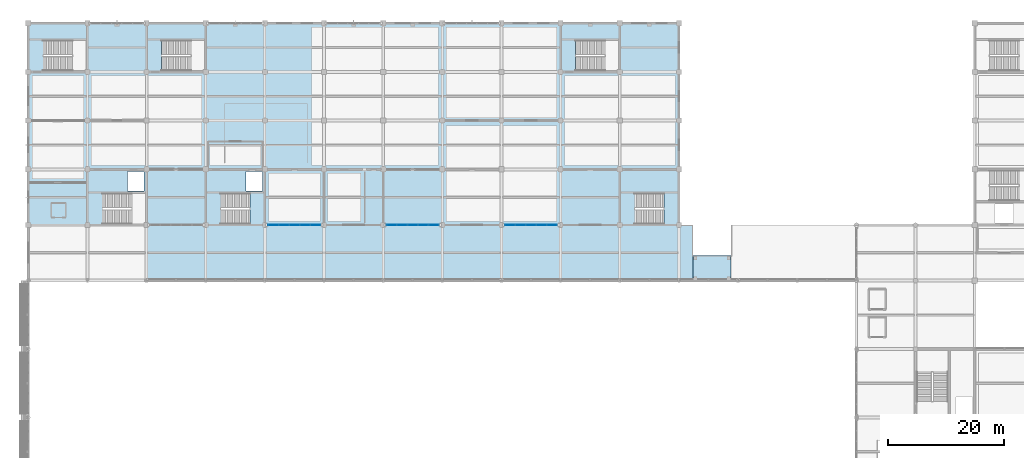
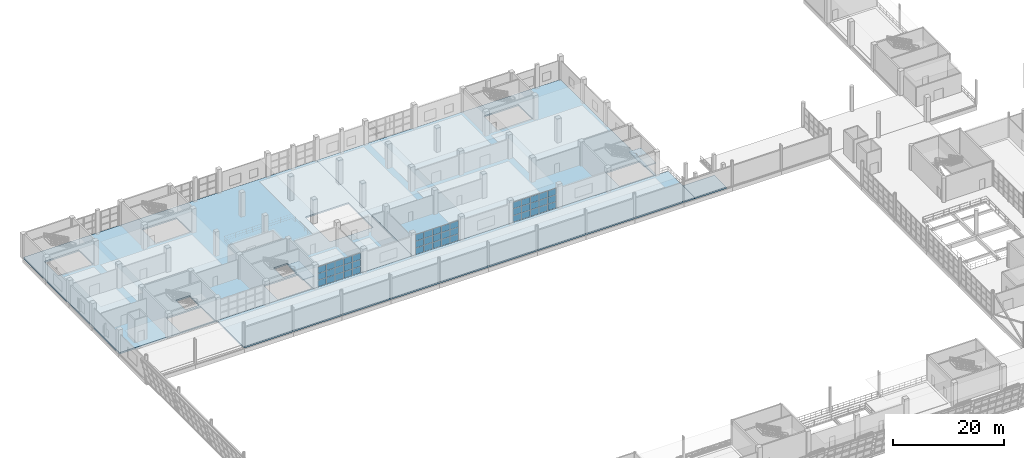
# One storey, part 110 of 175: 45 plates, 6 slabs, 5 elements without a shape of their own.
"""IFC4 building model written with IfcOpenShell, lengths in metres."""

import ifcopenshell
import ifcopenshell.guid

model = None  # the IFC model being written
_history = None  # IfcOwnerHistory: only IFC2X3 demands one
_inside = {}  # id of a spatial element -> (the spatial element, [elements in it])
_under = {}  # id of a project, library or spatial element -> (it, [spatial elements below it])
_declared = {}  # id of a project -> (the project, [libraries it declares])
_typed = {}  # id of a type object -> (the type object, [elements of that type])
_made_of = {}  # id of a material, layer set ... -> (it, [elements and type objects made of it])


def new_model(schema):
    """Start an empty IFC model of exactly this schema.

    Asked for "IFC4X3", IfcOpenShell would pick the latest addendum, in which some entities
    have other attributes; the version numbers below select the first issue.
    IFC2X3 requires an IfcOwnerHistory on every rooted entity: one is made here for all.
    """
    global model, _history
    if schema == "IFC4X3":
        model = ifcopenshell.file(schema_version=(4, 3, 0, 0))
    else:
        model = ifcopenshell.file(schema=schema)
    _inside.clear()
    _under.clear()
    _declared.clear()
    _typed.clear()
    _made_of.clear()
    _history = None
    if model.schema == "IFC2X3":
        org = make("IfcOrganization", Name="unknown")
        user = make(
            "IfcPersonAndOrganization",
            ThePerson=make("IfcPerson", FamilyName="unknown"),
            TheOrganization=org,
        )
        app = make(
            "IfcApplication",
            ApplicationDeveloper=org,
            Version="unknown",
            ApplicationFullName="unknown",
            ApplicationIdentifier="unknown",
        )
        _history = make(
            "IfcOwnerHistory",
            OwningUser=user,
            OwningApplication=app,
            ChangeAction="ADDED",
            CreationDate=0,
        )
    return model


def make(cls, **values):
    """One entity of the class cls with the attributes given. An attribute that is None is left unset."""
    return model.create_entity(
        cls, **{name: value for name, value in values.items() if value is not None}
    )


def rooted(cls, **values):
    """An entity with a GlobalId (a new one), such as an element, a storey or a relation."""
    return make(cls, GlobalId=ifcopenshell.guid.new(), OwnerHistory=_history, **values)


def si_unit(unit_type, name, prefix=None):
    """IfcSIUnit, for example si_unit("LENGTHUNIT", "METRE", prefix="MILLI")."""
    return make("IfcSIUnit", UnitType=unit_type, Prefix=prefix, Name=name)


def assignment(units):
    """IfcUnitAssignment: the units of a project."""
    return None if units is None else make("IfcUnitAssignment", Units=units)


def point(xyz):
    """IfcCartesianPoint."""
    return None if xyz is None else make("IfcCartesianPoint", Coordinates=xyz)


def direction(xyz):
    """IfcDirection."""
    return None if xyz is None else make("IfcDirection", DirectionRatios=xyz)


def frame(location, z_axis=None, x_axis=None):
    """IfcAxis2Placement3D, a coordinate frame: its origin and axes. An axis left out is left unset."""
    return make(
        "IfcAxis2Placement3D",
        Location=point(location),
        Axis=direction(z_axis),
        RefDirection=direction(x_axis),
    )


def frame_2d(location, x_axis=None):
    """IfcAxis2Placement2D, a coordinate frame in the plane: its origin and x axis."""
    return make(
        "IfcAxis2Placement2D", Location=point(location), RefDirection=direction(x_axis)
    )


def origin():
    """The frame at (0, 0, 0) with its axes left unset."""
    return frame((0.0, 0.0, 0.0))


def origin_2d():
    """The frame at (0, 0) in the plane with its x axis left unset."""
    return frame_2d((0.0, 0.0))


def place(relative_to, where):
    """IfcLocalPlacement: puts the frame where relative to a parent placement (None: the world)."""
    return make(
        "IfcLocalPlacement", PlacementRelTo=relative_to, RelativePlacement=where
    )


def context(
    kind, dimensions, precision=None, world=None, true_north=None, identifier=None
):
    """IfcGeometricRepresentationContext, for example the 3D "Model" context."""
    return make(
        "IfcGeometricRepresentationContext",
        ContextIdentifier=identifier,
        ContextType=kind,
        CoordinateSpaceDimension=dimensions,
        Precision=precision,
        WorldCoordinateSystem=world,
        TrueNorth=true_north,
    )


def subcontext(parent, identifier, kind, view, scale=None):
    """IfcGeometricRepresentationSubContext, for example "Body" below "Model"."""
    return make(
        "IfcGeometricRepresentationSubContext",
        ContextIdentifier=identifier,
        ContextType=kind,
        ParentContext=parent,
        TargetScale=scale,
        TargetView=view,
    )


def project(units=None, contexts=None):
    """IfcProject with its units and contexts."""
    return rooted(
        "IfcProject",
        Name="project",
        RepresentationContexts=contexts,
        UnitsInContext=assignment(units),
    )


def spatial(cls, under=None, at=None, **own):
    """A site, building, storey or space (cls), placed at a placement, below another one or the project."""
    s = rooted(cls, ObjectPlacement=at, **own)
    if under is not None:
        _under.setdefault(under.id(), (under, []))[1].append(s)
    return s


def polyline(points):
    """IfcPolyline through the points."""
    return make("IfcPolyline", Points=[point(p) for p in points])


def profile(cls, at=None, kind="AREA", **sizes):
    """A parametric profile (cls). Its sizes go by their IFC names, for example OverallWidth=200.0."""
    return make(cls, ProfileType=kind, Position=at, **sizes)


def rectangle(**sizes):
    """IfcRectangleProfileDef."""
    return profile("IfcRectangleProfileDef", **sizes)


def outline(outer, holes=None, kind="AREA"):
    """IfcArbitraryClosedProfileDef: a profile drawn as a closed curve; with holes, ...WithVoids."""
    if holes is None:
        return make("IfcArbitraryClosedProfileDef", ProfileType=kind, OuterCurve=outer)
    return make(
        "IfcArbitraryProfileDefWithVoids",
        ProfileType=kind,
        OuterCurve=outer,
        InnerCurves=holes,
    )


def extrude(swept, where, along, depth):
    """IfcExtrudedAreaSolid: the profile swept, set in the frame where, extruded along a direction by depth."""
    return make(
        "IfcExtrudedAreaSolid",
        SweptArea=swept,
        Position=where,
        ExtrudedDirection=direction(along),
        Depth=depth,
    )


def shape(context_of_items, identifier, shape_type, items):
    """IfcShapeRepresentation: the items that make up one representation, for example the "Body"."""
    return make(
        "IfcShapeRepresentation",
        ContextOfItems=context_of_items,
        RepresentationIdentifier=identifier,
        RepresentationType=shape_type,
        Items=items,
    )


def material(Name=None, Category=None):
    """IfcMaterial."""
    return make("IfcMaterial", Name=Name, Category=Category)


def layer(
    of_material, thickness, ventilated=None, Name=None, Category=None, Priority=None
):
    """IfcMaterialLayer: one layer of a wall or slab, of a material (None: an air gap)."""
    return make(
        "IfcMaterialLayer",
        Material=of_material,
        LayerThickness=thickness,
        IsVentilated=ventilated,
        Name=Name,
        Category=Category,
        Priority=Priority,
    )


def layer_set(layers, Name=None):
    """IfcMaterialLayerSet."""
    return make("IfcMaterialLayerSet", MaterialLayers=layers, LayerSetName=Name)


def made_of(thing, what):
    """Note that an element or type object is made of a material, layer set ...; save() writes the relation."""
    if what is not None:
        _made_of.setdefault(what.id(), (what, []))[1].append(thing)
    return thing


def type_object(cls, material=None, **own):
    """A type object (cls), such as IfcWallType, which elements share."""
    return made_of(rooted(cls, **own), material)


def element(
    cls,
    number,
    at=None,
    inside=None,
    cuts=None,
    type_object=None,
    material=None,
    context=None,
    identifier="Body",
    shape_type=None,
    held_by="IfcProductDefinitionShape",
    body=None,
    shapes=None,
    **own,
):
    """One element of the class cls, such as IfcWall. Its Tag is "e" and its number.

    at: its placement. inside: the storey or other place that contains it. cuts: it is an
    opening in that element (IfcRelVoidsElement). A single representation is given by context,
    identifier, shape_type and body (its items); several are given by shapes. held_by: the class
    of the entity that holds the representations. save() writes the other relations.
    """
    e = rooted(cls, Tag="e%d" % number, ObjectPlacement=at, **own)
    if body is not None:
        shapes = [shape(context, identifier, shape_type, body)]
    if shapes is not None:
        e.Representation = make(held_by, Representations=shapes)
    if inside is not None:
        _inside.setdefault(inside.id(), (inside, []))[1].append(e)
    if cuts is not None:
        rooted(
            "IfcRelVoidsElement", RelatingBuildingElement=cuts, RelatedOpeningElement=e
        )
    if type_object is not None:
        _typed.setdefault(type_object.id(), (type_object, []))[1].append(e)
    return made_of(e, material)


def aggregate(whole, parts):
    """IfcRelAggregates: a whole, such as a stair, and the parts it consists of."""
    return rooted("IfcRelAggregates", RelatingObject=whole, RelatedObjects=parts)


def save(model, path):
    """Write the relations noted so far, then the file.

    IfcRelAggregates (storeys below a building ...), IfcRelContainedInSpatialStructure (elements
    in a storey), IfcRelDefinesByType, IfcRelAssociatesMaterial and IfcRelDeclares: one each for
    every whole, place, type object, material and project.
    """
    for whole, parts in _under.values():
        aggregate(whole, parts)
    for where, things in _inside.values():
        rooted(
            "IfcRelContainedInSpatialStructure",
            RelatedElements=things,
            RelatingStructure=where,
        )
    for kind, things in _typed.values():
        rooted("IfcRelDefinesByType", RelatedObjects=things, RelatingType=kind)
    for what, things in _made_of.values():
        rooted("IfcRelAssociatesMaterial", RelatedObjects=things, RelatingMaterial=what)
    for by, libraries in _declared.values():
        rooted("IfcRelDeclares", RelatingContext=by, RelatedDefinitions=libraries)
    model.write(path)


model = new_model("IFC4")

# Units and contexts
model_context = context("Model", 3, precision=1e-05, world=origin(), true_north=direction((0.0, 1.0)))
body_context = subcontext(model_context, "Body", "Model", "MODEL_VIEW")
ifc_project = project(units=[si_unit("LENGTHUNIT", "METRE"), si_unit("AREAUNIT", "SQUARE_METRE"), si_unit("VOLUMEUNIT", "CUBIC_METRE"), si_unit("PLANEANGLEUNIT", "RADIAN"), si_unit("MASSUNIT", "GRAM", prefix="KILO")], contexts=[model_context])

# Site, building, storey
site_placement = place(None, origin())
site = spatial("IfcSite", under=ifc_project, at=site_placement, CompositionType="ELEMENT")
building_placement = place(site_placement, origin())
building = spatial("IfcBuilding", under=site, at=building_placement, Name="Brelvane Convention Centre", CompositionType="ELEMENT")
storey_placement = place(building_placement, frame((0.0, 0.0, 5.39990234375)))
storey = spatial("IfcBuildingStorey", under=building, at=storey_placement, Name="L01", CompositionType="ELEMENT", Elevation=5.39990234375)

# Curtain wall, plates
ifc_material_1 = material(Name="Anodised Aluminium Alloy 6063-T6", Category="aluminium")
curtain_wall_type = type_object("IfcCurtainWallType", Name="Curtain Wall CW-COURT", PredefinedType="USERDEFINED", material=ifc_material_1)
curtain_wall_1_placement = place(storey_placement, origin())
curtain_wall_1 = element("IfcCurtainWall", 1, at=curtain_wall_1_placement, inside=storey, type_object=curtain_wall_type, Name="Curtain Wall CW-COURT L01-V4S-05", ObjectType="UNITISED", PredefinedType="USERDEFINED")
ifc_material_2 = material(Name="Double Glazed Low-E Laminated Unit")
ifc_layer_1 = layer(ifc_material_2, 0.031982421875)
ifc_layer_set_1 = layer_set([ifc_layer_1], Name="Double Glazed Low-E Laminated Unit")
plate_type = type_object("IfcPlateType", Name="Curtain Panel CW-PG1", PredefinedType="CURTAIN_PANEL", material=ifc_layer_set_1)
plate_1_placement = place(storey_placement, frame((42.27880859375, 109.199951171875, 0.070068359375), z_axis=(0.0, 0.0, 1.0), x_axis=(1.0, 0.0, 0.0)))
plate_1 = element("IfcPlate", 2, at=plate_1_placement, type_object=plate_type, Name="CW-COURT panel 1.1", PredefinedType="CURTAIN_PANEL", context=body_context, shape_type="SweptSolid", body=[
    extrude(rectangle(XDim=1.70751953125, YDim=0.031982421875, at=origin_2d()), origin(), (0.0, 0.0, 1.0), 1.39501953125),
])
plate_2_placement = place(storey_placement, frame((42.27880859375, 109.199951171875, 1.53515625), z_axis=(0.0, 0.0, 1.0), x_axis=(1.0, 0.0, 0.0)))
plate_2 = element("IfcPlate", 3, at=plate_2_placement, type_object=plate_type, Name="CW-COURT panel 1.2", PredefinedType="CURTAIN_PANEL", context=body_context, shape_type="SweptSolid", body=[
    extrude(rectangle(XDim=1.70751953125, YDim=0.031982421875, at=origin_2d()), origin(), (0.0, 0.0, 1.0), 1.429931640625),
])
plate_3_placement = place(storey_placement, frame((42.27880859375, 109.199951171875, 3.03515625), z_axis=(0.0, 0.0, 1.0), x_axis=(1.0, 0.0, 0.0)))
plate_3 = element("IfcPlate", 4, at=plate_3_placement, type_object=plate_type, Name="CW-COURT panel 1.3", PredefinedType="CURTAIN_PANEL", context=body_context, shape_type="SweptSolid", body=[
    extrude(rectangle(XDim=1.70751953125, YDim=0.031982421875, at=origin_2d()), origin(), (0.0, 0.0, 1.0), 1.39501953125),
])
plate_4_placement = place(storey_placement, frame((44.080078125, 109.199951171875, 0.070068359375), z_axis=(0.0, 0.0, 1.0), x_axis=(1.0, 0.0, 0.0)))
plate_4 = element("IfcPlate", 5, at=plate_4_placement, type_object=plate_type, Name="CW-COURT panel 2.1", PredefinedType="CURTAIN_PANEL", context=body_context, shape_type="SweptSolid", body=[
    extrude(rectangle(XDim=1.7451171875, YDim=0.031982421875, at=origin_2d()), origin(), (0.0, 0.0, 1.0), 1.39501953125),
])
plate_5_placement = place(storey_placement, frame((44.080078125, 109.199951171875, 1.53515625), z_axis=(0.0, 0.0, 1.0), x_axis=(1.0, 0.0, 0.0)))
plate_5 = element("IfcPlate", 6, at=plate_5_placement, type_object=plate_type, Name="CW-COURT panel 2.2", PredefinedType="CURTAIN_PANEL", context=body_context, shape_type="SweptSolid", body=[
    extrude(rectangle(XDim=1.7451171875, YDim=0.031982421875, at=origin_2d()), origin(), (0.0, 0.0, 1.0), 1.429931640625),
])
plate_6_placement = place(storey_placement, frame((44.080078125, 109.199951171875, 3.03515625), z_axis=(0.0, 0.0, 1.0), x_axis=(1.0, 0.0, 0.0)))
plate_6 = element("IfcPlate", 7, at=plate_6_placement, type_object=plate_type, Name="CW-COURT panel 2.3", PredefinedType="CURTAIN_PANEL", context=body_context, shape_type="SweptSolid", body=[
    extrude(rectangle(XDim=1.7451171875, YDim=0.031982421875, at=origin_2d()), origin(), (0.0, 0.0, 1.0), 1.39501953125),
])
plate_7_placement = place(storey_placement, frame((45.89990234375, 109.199951171875, 0.070068359375), z_axis=(0.0, 0.0, 1.0), x_axis=(1.0, 0.0, 0.0)))
plate_7 = element("IfcPlate", 8, at=plate_7_placement, type_object=plate_type, Name="CW-COURT panel 3.1", PredefinedType="CURTAIN_PANEL", context=body_context, shape_type="SweptSolid", body=[
    extrude(rectangle(XDim=1.7451171875, YDim=0.031982421875, at=origin_2d()), origin(), (0.0, 0.0, 1.0), 1.39501953125),
])
plate_8_placement = place(storey_placement, frame((45.89990234375, 109.199951171875, 1.53515625), z_axis=(0.0, 0.0, 1.0), x_axis=(1.0, 0.0, 0.0)))
plate_8 = element("IfcPlate", 9, at=plate_8_placement, type_object=plate_type, Name="CW-COURT panel 3.2", PredefinedType="CURTAIN_PANEL", context=body_context, shape_type="SweptSolid", body=[
    extrude(rectangle(XDim=1.7451171875, YDim=0.031982421875, at=origin_2d()), origin(), (0.0, 0.0, 1.0), 1.429931640625),
])
plate_9_placement = place(storey_placement, frame((45.89990234375, 109.199951171875, 3.03515625), z_axis=(0.0, 0.0, 1.0), x_axis=(1.0, 0.0, 0.0)))
plate_9 = element("IfcPlate", 10, at=plate_9_placement, type_object=plate_type, Name="CW-COURT panel 3.3", PredefinedType="CURTAIN_PANEL", context=body_context, shape_type="SweptSolid", body=[
    extrude(rectangle(XDim=1.7451171875, YDim=0.031982421875, at=origin_2d()), origin(), (0.0, 0.0, 1.0), 1.39501953125),
])
plate_10_placement = place(storey_placement, frame((47.719970703125, 109.199951171875, 0.070068359375), z_axis=(0.0, 0.0, 1.0), x_axis=(1.0, 0.0, 0.0)))
plate_10 = element("IfcPlate", 11, at=plate_10_placement, type_object=plate_type, Name="CW-COURT panel 4.1", PredefinedType="CURTAIN_PANEL", context=body_context, shape_type="SweptSolid", body=[
    extrude(rectangle(XDim=1.7451171875, YDim=0.031982421875, at=origin_2d()), origin(), (0.0, 0.0, 1.0), 1.39501953125),
])
plate_11_placement = place(storey_placement, frame((47.719970703125, 109.199951171875, 1.53515625), z_axis=(0.0, 0.0, 1.0), x_axis=(1.0, 0.0, 0.0)))
plate_11 = element("IfcPlate", 12, at=plate_11_placement, type_object=plate_type, Name="CW-COURT panel 4.2", PredefinedType="CURTAIN_PANEL", context=body_context, shape_type="SweptSolid", body=[
    extrude(rectangle(XDim=1.7451171875, YDim=0.031982421875, at=origin_2d()), origin(), (0.0, 0.0, 1.0), 1.429931640625),
])
plate_12_placement = place(storey_placement, frame((47.719970703125, 109.199951171875, 3.03515625), z_axis=(0.0, 0.0, 1.0), x_axis=(1.0, 0.0, 0.0)))
plate_12 = element("IfcPlate", 13, at=plate_12_placement, type_object=plate_type, Name="CW-COURT panel 4.3", PredefinedType="CURTAIN_PANEL", context=body_context, shape_type="SweptSolid", body=[
    extrude(rectangle(XDim=1.7451171875, YDim=0.031982421875, at=origin_2d()), origin(), (0.0, 0.0, 1.0), 1.39501953125),
])
plate_13_placement = place(storey_placement, frame((49.521240234375, 109.199951171875, 0.070068359375), z_axis=(0.0, 0.0, 1.0), x_axis=(1.0, 0.0, 0.0)))
plate_13 = element("IfcPlate", 14, at=plate_13_placement, type_object=plate_type, Name="CW-COURT panel 5.1", PredefinedType="CURTAIN_PANEL", context=body_context, shape_type="SweptSolid", body=[
    extrude(rectangle(XDim=1.70751953125, YDim=0.031982421875, at=origin_2d()), origin(), (0.0, 0.0, 1.0), 1.39501953125),
])
plate_14_placement = place(storey_placement, frame((49.521240234375, 109.199951171875, 1.53515625), z_axis=(0.0, 0.0, 1.0), x_axis=(1.0, 0.0, 0.0)))
plate_14 = element("IfcPlate", 15, at=plate_14_placement, type_object=plate_type, Name="CW-COURT panel 5.2", PredefinedType="CURTAIN_PANEL", context=body_context, shape_type="SweptSolid", body=[
    extrude(rectangle(XDim=1.70751953125, YDim=0.031982421875, at=origin_2d()), origin(), (0.0, 0.0, 1.0), 1.429931640625),
])
plate_15_placement = place(storey_placement, frame((49.521240234375, 109.199951171875, 3.03515625), z_axis=(0.0, 0.0, 1.0), x_axis=(1.0, 0.0, 0.0)))
plate_15 = element("IfcPlate", 16, at=plate_15_placement, type_object=plate_type, Name="CW-COURT panel 5.3", PredefinedType="CURTAIN_PANEL", context=body_context, shape_type="SweptSolid", body=[
    extrude(rectangle(XDim=1.70751953125, YDim=0.031982421875, at=origin_2d()), origin(), (0.0, 0.0, 1.0), 1.39501953125),
])
aggregate(curtain_wall_1, [plate_1, plate_2, plate_3, plate_4, plate_5, plate_6, plate_7, plate_8, plate_9, plate_10, plate_11, plate_12, plate_13, plate_14, plate_15])

curtain_wall_2_placement = place(storey_placement, origin())
curtain_wall_2 = element("IfcCurtainWall", 17, at=curtain_wall_2_placement, inside=storey, type_object=curtain_wall_type, Name="Curtain Wall CW-COURT L01-V4S-07", ObjectType="UNITISED", PredefinedType="USERDEFINED")
plate_16_placement = place(storey_placement, frame((62.6787109375, 109.199951171875, 0.070068359375), z_axis=(0.0, 0.0, 1.0), x_axis=(1.0, 0.0, 0.0)))
plate_16 = element("IfcPlate", 18, at=plate_16_placement, type_object=plate_type, Name="CW-COURT panel 1.1", PredefinedType="CURTAIN_PANEL", context=body_context, shape_type="SweptSolid", body=[
    extrude(rectangle(XDim=1.70751953125, YDim=0.031982421875, at=origin_2d()), origin(), (0.0, 0.0, 1.0), 1.39501953125),
])
plate_17_placement = place(storey_placement, frame((62.6787109375, 109.199951171875, 1.53515625), z_axis=(0.0, 0.0, 1.0), x_axis=(1.0, 0.0, 0.0)))
plate_17 = element("IfcPlate", 19, at=plate_17_placement, type_object=plate_type, Name="CW-COURT panel 1.2", PredefinedType="CURTAIN_PANEL", context=body_context, shape_type="SweptSolid", body=[
    extrude(rectangle(XDim=1.70751953125, YDim=0.031982421875, at=origin_2d()), origin(), (0.0, 0.0, 1.0), 1.429931640625),
])
plate_18_placement = place(storey_placement, frame((62.6787109375, 109.199951171875, 3.03515625), z_axis=(0.0, 0.0, 1.0), x_axis=(1.0, 0.0, 0.0)))
plate_18 = element("IfcPlate", 20, at=plate_18_placement, type_object=plate_type, Name="CW-COURT panel 1.3", PredefinedType="CURTAIN_PANEL", context=body_context, shape_type="SweptSolid", body=[
    extrude(rectangle(XDim=1.70751953125, YDim=0.031982421875, at=origin_2d()), origin(), (0.0, 0.0, 1.0), 1.39501953125),
])
plate_19_placement = place(storey_placement, frame((64.47998046875, 109.199951171875, 0.070068359375), z_axis=(0.0, 0.0, 1.0), x_axis=(1.0, 0.0, 0.0)))
plate_19 = element("IfcPlate", 21, at=plate_19_placement, type_object=plate_type, Name="CW-COURT panel 2.1", PredefinedType="CURTAIN_PANEL", context=body_context, shape_type="SweptSolid", body=[
    extrude(rectangle(XDim=1.7451171875, YDim=0.031982421875, at=origin_2d()), origin(), (0.0, 0.0, 1.0), 1.39501953125),
])
plate_20_placement = place(storey_placement, frame((64.47998046875, 109.199951171875, 1.53515625), z_axis=(0.0, 0.0, 1.0), x_axis=(1.0, 0.0, 0.0)))
plate_20 = element("IfcPlate", 22, at=plate_20_placement, type_object=plate_type, Name="CW-COURT panel 2.2", PredefinedType="CURTAIN_PANEL", context=body_context, shape_type="SweptSolid", body=[
    extrude(rectangle(XDim=1.7451171875, YDim=0.031982421875, at=origin_2d()), origin(), (0.0, 0.0, 1.0), 1.429931640625),
])
plate_21_placement = place(storey_placement, frame((64.47998046875, 109.199951171875, 3.03515625), z_axis=(0.0, 0.0, 1.0), x_axis=(1.0, 0.0, 0.0)))
plate_21 = element("IfcPlate", 23, at=plate_21_placement, type_object=plate_type, Name="CW-COURT panel 2.3", PredefinedType="CURTAIN_PANEL", context=body_context, shape_type="SweptSolid", body=[
    extrude(rectangle(XDim=1.7451171875, YDim=0.031982421875, at=origin_2d()), origin(), (0.0, 0.0, 1.0), 1.39501953125),
])
plate_22_placement = place(storey_placement, frame((66.300048828125, 109.199951171875, 0.070068359375), z_axis=(0.0, 0.0, 1.0), x_axis=(1.0, 0.0, 0.0)))
plate_22 = element("IfcPlate", 24, at=plate_22_placement, type_object=plate_type, Name="CW-COURT panel 3.1", PredefinedType="CURTAIN_PANEL", context=body_context, shape_type="SweptSolid", body=[
    extrude(rectangle(XDim=1.7451171875, YDim=0.031982421875, at=origin_2d()), origin(), (0.0, 0.0, 1.0), 1.39501953125),
])
plate_23_placement = place(storey_placement, frame((66.300048828125, 109.199951171875, 1.53515625), z_axis=(0.0, 0.0, 1.0), x_axis=(1.0, 0.0, 0.0)))
plate_23 = element("IfcPlate", 25, at=plate_23_placement, type_object=plate_type, Name="CW-COURT panel 3.2", PredefinedType="CURTAIN_PANEL", context=body_context, shape_type="SweptSolid", body=[
    extrude(rectangle(XDim=1.7451171875, YDim=0.031982421875, at=origin_2d()), origin(), (0.0, 0.0, 1.0), 1.429931640625),
])
plate_24_placement = place(storey_placement, frame((66.300048828125, 109.199951171875, 3.03515625), z_axis=(0.0, 0.0, 1.0), x_axis=(1.0, 0.0, 0.0)))
plate_24 = element("IfcPlate", 26, at=plate_24_placement, type_object=plate_type, Name="CW-COURT panel 3.3", PredefinedType="CURTAIN_PANEL", context=body_context, shape_type="SweptSolid", body=[
    extrude(rectangle(XDim=1.7451171875, YDim=0.031982421875, at=origin_2d()), origin(), (0.0, 0.0, 1.0), 1.39501953125),
])
plate_25_placement = place(storey_placement, frame((68.1201171875, 109.199951171875, 0.070068359375), z_axis=(0.0, 0.0, 1.0), x_axis=(1.0, 0.0, 0.0)))
plate_25 = element("IfcPlate", 27, at=plate_25_placement, type_object=plate_type, Name="CW-COURT panel 4.1", PredefinedType="CURTAIN_PANEL", context=body_context, shape_type="SweptSolid", body=[
    extrude(rectangle(XDim=1.7451171875, YDim=0.031982421875, at=origin_2d()), origin(), (0.0, 0.0, 1.0), 1.39501953125),
])
plate_26_placement = place(storey_placement, frame((68.1201171875, 109.199951171875, 1.53515625), z_axis=(0.0, 0.0, 1.0), x_axis=(1.0, 0.0, 0.0)))
plate_26 = element("IfcPlate", 28, at=plate_26_placement, type_object=plate_type, Name="CW-COURT panel 4.2", PredefinedType="CURTAIN_PANEL", context=body_context, shape_type="SweptSolid", body=[
    extrude(rectangle(XDim=1.7451171875, YDim=0.031982421875, at=origin_2d()), origin(), (0.0, 0.0, 1.0), 1.429931640625),
])
plate_27_placement = place(storey_placement, frame((68.1201171875, 109.199951171875, 3.03515625), z_axis=(0.0, 0.0, 1.0), x_axis=(1.0, 0.0, 0.0)))
plate_27 = element("IfcPlate", 29, at=plate_27_placement, type_object=plate_type, Name="CW-COURT panel 4.3", PredefinedType="CURTAIN_PANEL", context=body_context, shape_type="SweptSolid", body=[
    extrude(rectangle(XDim=1.7451171875, YDim=0.031982421875, at=origin_2d()), origin(), (0.0, 0.0, 1.0), 1.39501953125),
])
plate_28_placement = place(storey_placement, frame((69.921142578125, 109.199951171875, 0.070068359375), z_axis=(0.0, 0.0, 1.0), x_axis=(1.0, 0.0, 0.0)))
plate_28 = element("IfcPlate", 30, at=plate_28_placement, type_object=plate_type, Name="CW-COURT panel 5.1", PredefinedType="CURTAIN_PANEL", context=body_context, shape_type="SweptSolid", body=[
    extrude(rectangle(XDim=1.70751953125, YDim=0.031982421875, at=origin_2d()), origin(), (0.0, 0.0, 1.0), 1.39501953125),
])
plate_29_placement = place(storey_placement, frame((69.921142578125, 109.199951171875, 1.53515625), z_axis=(0.0, 0.0, 1.0), x_axis=(1.0, 0.0, 0.0)))
plate_29 = element("IfcPlate", 31, at=plate_29_placement, type_object=plate_type, Name="CW-COURT panel 5.2", PredefinedType="CURTAIN_PANEL", context=body_context, shape_type="SweptSolid", body=[
    extrude(rectangle(XDim=1.70751953125, YDim=0.031982421875, at=origin_2d()), origin(), (0.0, 0.0, 1.0), 1.429931640625),
])
plate_30_placement = place(storey_placement, frame((69.921142578125, 109.199951171875, 3.03515625), z_axis=(0.0, 0.0, 1.0), x_axis=(1.0, 0.0, 0.0)))
plate_30 = element("IfcPlate", 32, at=plate_30_placement, type_object=plate_type, Name="CW-COURT panel 5.3", PredefinedType="CURTAIN_PANEL", context=body_context, shape_type="SweptSolid", body=[
    extrude(rectangle(XDim=1.70751953125, YDim=0.031982421875, at=origin_2d()), origin(), (0.0, 0.0, 1.0), 1.39501953125),
])
aggregate(curtain_wall_2, [plate_16, plate_17, plate_18, plate_19, plate_20, plate_21, plate_22, plate_23, plate_24, plate_25, plate_26, plate_27, plate_28, plate_29, plate_30])

curtain_wall_3_placement = place(storey_placement, origin())
curtain_wall_3 = element("IfcCurtainWall", 33, at=curtain_wall_3_placement, inside=storey, type_object=curtain_wall_type, Name="Curtain Wall CW-COURT L01-V4S-09", ObjectType="UNITISED", PredefinedType="USERDEFINED")
plate_31_placement = place(storey_placement, frame((83.078857421875, 109.199951171875, 0.070068359375), z_axis=(0.0, 0.0, 1.0), x_axis=(1.0, 0.0, 0.0)))
plate_31 = element("IfcPlate", 34, at=plate_31_placement, type_object=plate_type, Name="CW-COURT panel 1.1", PredefinedType="CURTAIN_PANEL", context=body_context, shape_type="SweptSolid", body=[
    extrude(rectangle(XDim=1.70751953125, YDim=0.031982421875, at=origin_2d()), origin(), (0.0, 0.0, 1.0), 1.39501953125),
])
plate_32_placement = place(storey_placement, frame((83.078857421875, 109.199951171875, 1.53515625), z_axis=(0.0, 0.0, 1.0), x_axis=(1.0, 0.0, 0.0)))
plate_32 = element("IfcPlate", 35, at=plate_32_placement, type_object=plate_type, Name="CW-COURT panel 1.2", PredefinedType="CURTAIN_PANEL", context=body_context, shape_type="SweptSolid", body=[
    extrude(rectangle(XDim=1.70751953125, YDim=0.031982421875, at=origin_2d()), origin(), (0.0, 0.0, 1.0), 1.429931640625),
])
plate_33_placement = place(storey_placement, frame((83.078857421875, 109.199951171875, 3.03515625), z_axis=(0.0, 0.0, 1.0), x_axis=(1.0, 0.0, 0.0)))
plate_33 = element("IfcPlate", 36, at=plate_33_placement, type_object=plate_type, Name="CW-COURT panel 1.3", PredefinedType="CURTAIN_PANEL", context=body_context, shape_type="SweptSolid", body=[
    extrude(rectangle(XDim=1.70751953125, YDim=0.031982421875, at=origin_2d()), origin(), (0.0, 0.0, 1.0), 1.39501953125),
])
plate_34_placement = place(storey_placement, frame((84.8798828125, 109.199951171875, 0.070068359375), z_axis=(0.0, 0.0, 1.0), x_axis=(1.0, 0.0, 0.0)))
plate_34 = element("IfcPlate", 37, at=plate_34_placement, type_object=plate_type, Name="CW-COURT panel 2.1", PredefinedType="CURTAIN_PANEL", context=body_context, shape_type="SweptSolid", body=[
    extrude(rectangle(XDim=1.7451171875, YDim=0.031982421875, at=origin_2d()), origin(), (0.0, 0.0, 1.0), 1.39501953125),
])
plate_35_placement = place(storey_placement, frame((84.8798828125, 109.199951171875, 1.53515625), z_axis=(0.0, 0.0, 1.0), x_axis=(1.0, 0.0, 0.0)))
plate_35 = element("IfcPlate", 38, at=plate_35_placement, type_object=plate_type, Name="CW-COURT panel 2.2", PredefinedType="CURTAIN_PANEL", context=body_context, shape_type="SweptSolid", body=[
    extrude(rectangle(XDim=1.7451171875, YDim=0.031982421875, at=origin_2d()), origin(), (0.0, 0.0, 1.0), 1.429931640625),
])
plate_36_placement = place(storey_placement, frame((84.8798828125, 109.199951171875, 3.03515625), z_axis=(0.0, 0.0, 1.0), x_axis=(1.0, 0.0, 0.0)))
plate_36 = element("IfcPlate", 39, at=plate_36_placement, type_object=plate_type, Name="CW-COURT panel 2.3", PredefinedType="CURTAIN_PANEL", context=body_context, shape_type="SweptSolid", body=[
    extrude(rectangle(XDim=1.7451171875, YDim=0.031982421875, at=origin_2d()), origin(), (0.0, 0.0, 1.0), 1.39501953125),
])
plate_37_placement = place(storey_placement, frame((86.699951171875, 109.199951171875, 0.070068359375), z_axis=(0.0, 0.0, 1.0), x_axis=(1.0, 0.0, 0.0)))
plate_37 = element("IfcPlate", 40, at=plate_37_placement, type_object=plate_type, Name="CW-COURT panel 3.1", PredefinedType="CURTAIN_PANEL", context=body_context, shape_type="SweptSolid", body=[
    extrude(rectangle(XDim=1.7451171875, YDim=0.031982421875, at=origin_2d()), origin(), (0.0, 0.0, 1.0), 1.39501953125),
])
plate_38_placement = place(storey_placement, frame((86.699951171875, 109.199951171875, 1.53515625), z_axis=(0.0, 0.0, 1.0), x_axis=(1.0, 0.0, 0.0)))
plate_38 = element("IfcPlate", 41, at=plate_38_placement, type_object=plate_type, Name="CW-COURT panel 3.2", PredefinedType="CURTAIN_PANEL", context=body_context, shape_type="SweptSolid", body=[
    extrude(rectangle(XDim=1.7451171875, YDim=0.031982421875, at=origin_2d()), origin(), (0.0, 0.0, 1.0), 1.429931640625),
])
plate_39_placement = place(storey_placement, frame((86.699951171875, 109.199951171875, 3.03515625), z_axis=(0.0, 0.0, 1.0), x_axis=(1.0, 0.0, 0.0)))
plate_39 = element("IfcPlate", 42, at=plate_39_placement, type_object=plate_type, Name="CW-COURT panel 3.3", PredefinedType="CURTAIN_PANEL", context=body_context, shape_type="SweptSolid", body=[
    extrude(rectangle(XDim=1.7451171875, YDim=0.031982421875, at=origin_2d()), origin(), (0.0, 0.0, 1.0), 1.39501953125),
])
plate_40_placement = place(storey_placement, frame((88.52001953125, 109.199951171875, 0.070068359375), z_axis=(0.0, 0.0, 1.0), x_axis=(1.0, 0.0, 0.0)))
plate_40 = element("IfcPlate", 43, at=plate_40_placement, type_object=plate_type, Name="CW-COURT panel 4.1", PredefinedType="CURTAIN_PANEL", context=body_context, shape_type="SweptSolid", body=[
    extrude(rectangle(XDim=1.7451171875, YDim=0.031982421875, at=origin_2d()), origin(), (0.0, 0.0, 1.0), 1.39501953125),
])
plate_41_placement = place(storey_placement, frame((88.52001953125, 109.199951171875, 1.53515625), z_axis=(0.0, 0.0, 1.0), x_axis=(1.0, 0.0, 0.0)))
plate_41 = element("IfcPlate", 44, at=plate_41_placement, type_object=plate_type, Name="CW-COURT panel 4.2", PredefinedType="CURTAIN_PANEL", context=body_context, shape_type="SweptSolid", body=[
    extrude(rectangle(XDim=1.7451171875, YDim=0.031982421875, at=origin_2d()), origin(), (0.0, 0.0, 1.0), 1.429931640625),
])
plate_42_placement = place(storey_placement, frame((88.52001953125, 109.199951171875, 3.03515625), z_axis=(0.0, 0.0, 1.0), x_axis=(1.0, 0.0, 0.0)))
plate_42 = element("IfcPlate", 45, at=plate_42_placement, type_object=plate_type, Name="CW-COURT panel 4.3", PredefinedType="CURTAIN_PANEL", context=body_context, shape_type="SweptSolid", body=[
    extrude(rectangle(XDim=1.7451171875, YDim=0.031982421875, at=origin_2d()), origin(), (0.0, 0.0, 1.0), 1.39501953125),
])
plate_43_placement = place(storey_placement, frame((90.3212890625, 109.199951171875, 0.070068359375), z_axis=(0.0, 0.0, 1.0), x_axis=(1.0, 0.0, 0.0)))
plate_43 = element("IfcPlate", 46, at=plate_43_placement, type_object=plate_type, Name="CW-COURT panel 5.1", PredefinedType="CURTAIN_PANEL", context=body_context, shape_type="SweptSolid", body=[
    extrude(rectangle(XDim=1.70751953125, YDim=0.031982421875, at=origin_2d()), origin(), (0.0, 0.0, 1.0), 1.39501953125),
])
plate_44_placement = place(storey_placement, frame((90.3212890625, 109.199951171875, 1.53515625), z_axis=(0.0, 0.0, 1.0), x_axis=(1.0, 0.0, 0.0)))
plate_44 = element("IfcPlate", 47, at=plate_44_placement, type_object=plate_type, Name="CW-COURT panel 5.2", PredefinedType="CURTAIN_PANEL", context=body_context, shape_type="SweptSolid", body=[
    extrude(rectangle(XDim=1.70751953125, YDim=0.031982421875, at=origin_2d()), origin(), (0.0, 0.0, 1.0), 1.429931640625),
])
plate_45_placement = place(storey_placement, frame((90.3212890625, 109.199951171875, 3.03515625), z_axis=(0.0, 0.0, 1.0), x_axis=(1.0, 0.0, 0.0)))
plate_45 = element("IfcPlate", 48, at=plate_45_placement, type_object=plate_type, Name="CW-COURT panel 5.3", PredefinedType="CURTAIN_PANEL", context=body_context, shape_type="SweptSolid", body=[
    extrude(rectangle(XDim=1.70751953125, YDim=0.031982421875, at=origin_2d()), origin(), (0.0, 0.0, 1.0), 1.39501953125),
])
aggregate(curtain_wall_3, [plate_31, plate_32, plate_33, plate_34, plate_35, plate_36, plate_37, plate_38, plate_39, plate_40, plate_41, plate_42, plate_43, plate_44, plate_45])

# Stair, slab
ifc_material_3 = material(Name="Concrete M40", Category="concrete")
stair_type = type_object("IfcStairType", Name="Exit Stair ST-CORE", PredefinedType="HALF_TURN_STAIR", material=ifc_material_3)
stair_1_placement = place(storey_placement, origin())
stair_1 = element("IfcStair", 49, at=stair_1_placement, inside=storey, type_object=stair_type, Name="Exit Stair ST-07 (L01 to L02)", PredefinedType="HALF_TURN_STAIR")
ifc_material_4 = material(Name="Concrete M40", Category="concrete")
ifc_layer_2 = layer(ifc_material_4, 0.199951171875)
ifc_layer_set_2 = layer_set([ifc_layer_2], Name="Concrete M40")
slab_type_1 = type_object("IfcSlabType", Name="Stair Landing SL-LND-200", PredefinedType="LANDING", material=ifc_layer_set_2)
slab_1_placement = place(storey_placement, frame((0.0, 0.0, 2.5)))
slab_1 = element("IfcSlab", 50, at=slab_1_placement, type_object=slab_type_1, Name="Stair ST-07 L01 Half Landing", PredefinedType="LANDING", context=body_context, shape_type="SweptSolid", body=[
    extrude(outline(polyline([(38.219970703125, 109.280029296875), (40.719970703125, 109.280029296875), (40.719970703125, 114.719970703125), (38.219970703125, 114.719970703125), (38.219970703125, 109.280029296875)])), origin(), (0.0, 0.0, 1.0), 0.2001953125),
])
aggregate(stair_1, [slab_1])

stair_2_placement = place(storey_placement, origin())
stair_2 = element("IfcStair", 51, at=stair_2_placement, inside=storey, type_object=stair_type, Name="Exit Stair ST-20 (L01 to L02)", PredefinedType="HALF_TURN_STAIR")
slab_2_placement = place(storey_placement, frame((0.0, 0.0, 2.5)))
slab_2 = element("IfcSlab", 52, at=slab_2_placement, type_object=slab_type_1, Name="Stair ST-20 L01 Half Landing", PredefinedType="LANDING", context=body_context, shape_type="SweptSolid", body=[
    extrude(outline(polyline([(109.6201171875, 109.280029296875), (112.1201171875, 109.280029296875), (112.1201171875, 114.719970703125), (109.6201171875, 114.719970703125), (109.6201171875, 109.280029296875)])), origin(), (0.0, 0.0, 1.0), 0.2001953125),
])
aggregate(stair_2, [slab_2])

# Slabs
ifc_material_5 = material(Name="Concrete M40", Category="concrete")
ifc_layer_3 = layer(ifc_material_5, 0.320068359375)
ifc_layer_set_3 = layer_set([ifc_layer_3], Name="Concrete M40")
slab_type_2 = type_object("IfcSlabType", Name="Structural Slab SL-FLR-320", PredefinedType="FLOOR", material=ifc_layer_set_3)
slab_3_placement = place(storey_placement, frame((0.0, 0.0, -0.31982421875)))
element("IfcSlab", 53, at=slab_3_placement, inside=storey, type_object=slab_type_2, Name="L01 Floor Slab MEET-W", PredefinedType="FLOOR", context=body_context, shape_type="SweptSolid", body=[
    extrude(outline(polyline([(0.0, 109.199951171875), (61.199951171875, 109.199951171875), (61.199951171875, 144.0), (0.0, 144.0), (0.0, 109.199951171875)]), holes=[polyline([(12.800048828125, 109.449951171875), (20.050048828125, 109.449951171875), (20.050048828125, 114.550048828125), (12.800048828125, 114.550048828125), (12.800048828125, 109.449951171875)]), polyline([(17.14990234375, 115.050048828125), (20.0, 115.050048828125), (20.0, 118.449951171875), (17.14990234375, 118.449951171875), (17.14990234375, 115.050048828125)]), polyline([(33.199951171875, 109.449951171875), (40.449951171875, 109.449951171875), (40.449951171875, 114.550048828125), (33.199951171875, 114.550048828125), (33.199951171875, 109.449951171875)]), polyline([(37.550048828125, 115.050048828125), (40.39990234375, 115.050048828125), (40.39990234375, 118.449951171875), (37.550048828125, 118.449951171875), (37.550048828125, 115.050048828125)]), polyline([(23.0, 135.85009765625), (30.25, 135.85009765625), (30.25, 140.949951171875), (23.0, 140.949951171875), (23.0, 135.85009765625)]), polyline([(2.60009765625, 135.85009765625), (9.85009765625, 135.85009765625), (9.85009765625, 140.949951171875), (2.60009765625, 140.949951171875), (2.60009765625, 135.85009765625)]), polyline([(50.5, 120.5), (59.5, 120.5), (59.5, 129.5), (50.5, 129.5), (50.5, 120.5)])]), origin(), (0.0, 0.0, 1.0), 0.31982421875),
])
slab_4_placement = place(storey_placement, frame((0.0, 0.0, -0.31982421875)))
element("IfcSlab", 54, at=slab_4_placement, inside=storey, type_object=slab_type_2, Name="L01 Floor Slab MEET-E", PredefinedType="FLOOR", context=body_context, shape_type="SweptSolid", body=[
    extrude(outline(polyline([(61.199951171875, 109.199951171875), (112.199951171875, 109.199951171875), (112.199951171875, 144.0), (61.199951171875, 144.0), (61.199951171875, 109.199951171875)]), holes=[polyline([(94.39990234375, 135.85009765625), (101.64990234375, 135.85009765625), (101.64990234375, 140.949951171875), (94.39990234375, 140.949951171875), (94.39990234375, 135.85009765625)]), polyline([(104.60009765625, 109.449951171875), (111.85009765625, 109.449951171875), (111.85009765625, 114.550048828125), (104.60009765625, 114.550048828125), (104.60009765625, 109.449951171875)])]), origin(), (0.0, 0.0, 1.0), 0.31982421875),
])
slab_5_placement = place(storey_placement, frame((0.0, 0.0, -0.31982421875)))
element("IfcSlab", 55, at=slab_5_placement, inside=storey, type_object=slab_type_2, Name="L01 Floor Slab COURT-S", PredefinedType="FLOOR", context=body_context, shape_type="SweptSolid", body=[
    extrude(outline(polyline([(20.39990234375, 99.60009765625), (114.60009765625, 99.60009765625), (114.60009765625, 109.199951171875), (20.39990234375, 109.199951171875), (20.39990234375, 99.60009765625)])), origin(), (0.0, 0.0, 1.0), 0.31982421875),
])
slab_6_placement = place(storey_placement, frame((0.0, 0.0, -0.31982421875)))
element("IfcSlab", 56, at=slab_6_placement, inside=storey, type_object=slab_type_2, Name="L01 Floor Slab VR1-S", PredefinedType="FLOOR", context=body_context, shape_type="SweptSolid", body=[
    extrude(outline(polyline([(114.60009765625, 99.60009765625), (121.199951171875, 99.60009765625), (121.199951171875, 103.89990234375), (114.60009765625, 103.89990234375), (114.60009765625, 99.60009765625)])), origin(), (0.0, 0.0, 1.0), 0.31982421875),
])

save(model, "model.ifc")
